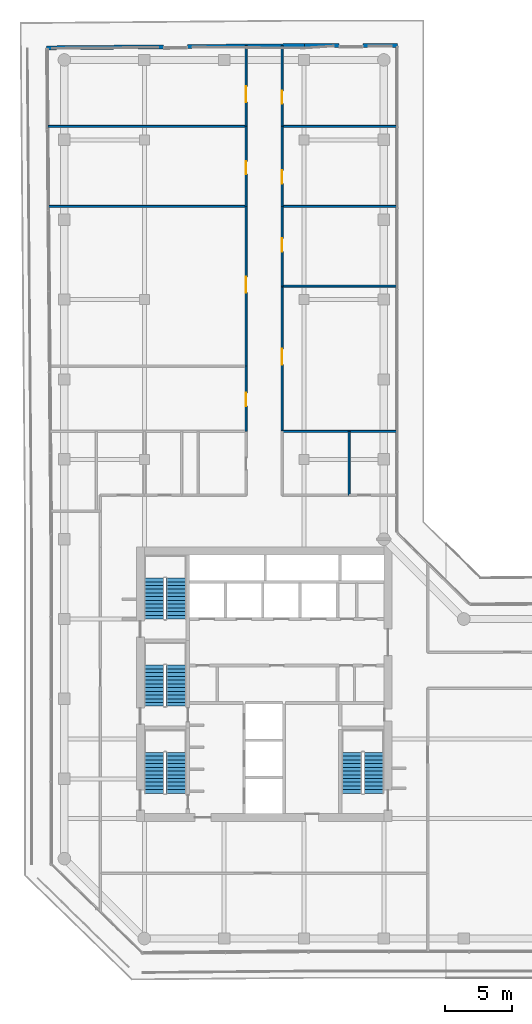
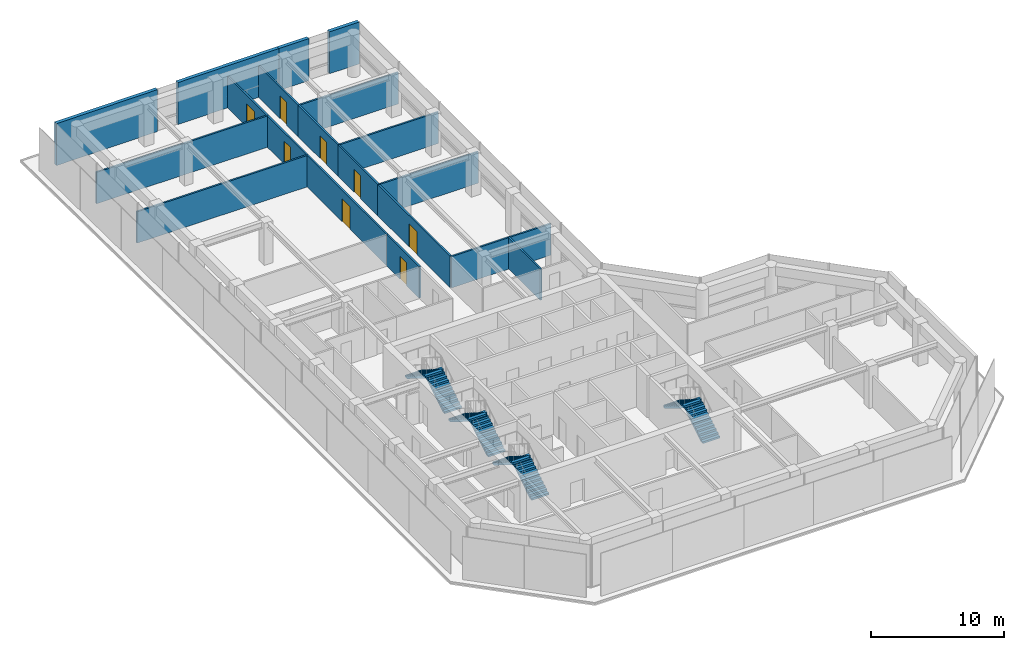
# One storey, part 17 of 19: 19 walls, 8 doors, 8 stair flights, 8 openings, 4 elements without a shape of their own.
"""IFC4 building model written with IfcOpenShell, lengths in metres."""

from ifc_helpers import new_model, si_unit, direction, frame, frame_2d, origin, place, context, subcontext, project, spatial, polyline, rectangle, outline, extrude, material, layer, layer_set, type_object, element, fill, aggregate, save


model = new_model("IFC4")

# Units and contexts
model_context = context("Model", 3, precision=1e-05, world=origin(), true_north=direction((0.0, 1.0)))
body_context = subcontext(model_context, "Body", "Model", "MODEL_VIEW")
ifc_project = project(units=[si_unit("LENGTHUNIT", "METRE"), si_unit("AREAUNIT", "SQUARE_METRE"), si_unit("VOLUMEUNIT", "CUBIC_METRE"), si_unit("PLANEANGLEUNIT", "RADIAN"), si_unit("MASSUNIT", "GRAM", prefix="KILO")], contexts=[model_context])

# Site, building, storey
site_placement = place(None, origin())
site = spatial("IfcSite", under=ifc_project, at=site_placement, CompositionType="ELEMENT")
building_placement = place(site_placement, origin())
building = spatial("IfcBuilding", under=site, at=building_placement, Name="Welwitschia Terrace Campus", CompositionType="ELEMENT")
storey_placement = place(building_placement, frame((0.0, 0.0, 171.800048828125)))
storey = spatial("IfcBuildingStorey", under=building, at=storey_placement, Name="L38", CompositionType="ELEMENT", Elevation=171.800048828125)

# Walls
ifc_material_1 = material(Name="Gypsum board on steel studs", Category="steel")
ifc_layer_1 = layer(ifc_material_1, 0.14990234375)
ifc_layer_set_1 = layer_set([ifc_layer_1], Name="Gypsum board on steel studs")
wall_type_1 = type_object("IfcWallType", Name="Corridor partition 150 EI 30", PredefinedType="PARTITIONING", material=ifc_layer_set_1)
wall_1_placement = place(storey_placement, frame((-1.25, 57.0, 0.0), z_axis=(0.0, 0.0, 1.0), x_axis=(1.0, 0.0, 0.0)))
element("IfcWall", 1, at=wall_1_placement, inside=storey, type_object=wall_type_1, Name="Partition", PredefinedType="PARTITIONING", context=body_context, shape_type="SweptSolid", body=[
    extrude(rectangle(XDim=14.89990234375, YDim=0.14990234375, at=frame_2d((7.449951171875, 0.0))), origin(), (0.0, 0.0, 1.0), 2.8798828125),
])
wall_2_placement = place(storey_placement, frame((-1.18994140625, 51.0, 0.0), z_axis=(0.0, 0.0, 1.0), x_axis=(1.0, 0.0, 0.0)))
element("IfcWall", 2, at=wall_2_placement, inside=storey, type_object=wall_type_1, Name="Partition", PredefinedType="PARTITIONING", context=body_context, shape_type="SweptSolid", body=[
    extrude(rectangle(XDim=14.83984375, YDim=0.14990234375, at=frame_2d((7.419921875, 0.0))), origin(), (0.0, 0.0, 1.0), 2.8798828125),
])

# Wall, opening, door
wall_3_placement = place(storey_placement, frame((13.64990234375, 34.10009765625, 0.0), z_axis=(0.0, 0.0, 1.0), x_axis=(0.0, 1.0, 0.0)))
wall_3 = element("IfcWall", 3, at=wall_3_placement, inside=storey, type_object=wall_type_1, Name="Partition", PredefinedType="PARTITIONING", context=body_context, shape_type="SweptSolid", body=[
    extrude(rectangle(XDim=4.89990234375, YDim=0.14990234375, at=frame_2d((2.449951171875, 0.0))), origin(), (0.0, 0.0, 1.0), 2.8798828125),
])
opening_1_placement = place(wall_3_placement, frame((1.89990234375, 0.0, 0.0)))
opening_1 = element("IfcOpeningElement", 4, at=opening_1_placement, cuts=wall_3, Name="Opening DI10", PredefinedType="OPENING", context=body_context, shape_type="SweptSolid", body=[
    extrude(rectangle(XDim=1.0, YDim=2.10009765625, at=frame_2d((0.5, 1.050048828125))), frame((0.0, 0.0849609375, 0.0), z_axis=(0.0, -1.0, 0.0), x_axis=(1.0, 0.0, 0.0)), (0.0, 0.0, 1.0), 0.169921875),
])
ifc_material_2 = material(Name="Timber veneered door", Category="wood")
door_type_1 = type_object("IfcDoorType", Name="Interior door DI10", OperationType="NOTDEFINED", PredefinedType="DOOR", material=ifc_material_2)
door_1_placement = place(opening_1_placement, origin())
door_1 = element("IfcDoor", 5, at=door_1_placement, inside=storey, type_object=door_type_1, Name="Door L38 762", OperationType="SINGLE_SWING_LEFT", OverallHeight=2.10009765625, OverallWidth=1.0, PredefinedType="DOOR", context=body_context, shape_type="SweptSolid", body=[
    extrude(rectangle(XDim=1.0, YDim=2.10009765625, at=frame_2d((0.5, 1.050048828125))), frame((0.0, 0.02490234375, 0.0), z_axis=(0.0, -1.0, 0.0), x_axis=(1.0, 0.0, 0.0)), (0.0, 0.0, 1.0), 0.050048828125),
])
fill(opening_1, door_1)

wall_4_placement = place(storey_placement, frame((13.64990234375, 51.0, 0.0), z_axis=(0.0, 0.0, 1.0), x_axis=(0.0, -1.0, 0.0)))
wall_4 = element("IfcWall", 6, at=wall_4_placement, inside=storey, type_object=wall_type_1, Name="Partition", PredefinedType="PARTITIONING", context=body_context, shape_type="SweptSolid", body=[
    extrude(rectangle(XDim=12.0, YDim=0.14990234375, at=frame_2d((6.0, 0.0))), origin(), (0.0, 0.0, 1.0), 2.8798828125),
])
opening_2_placement = place(wall_4_placement, frame((5.300048828125, 0.0, 0.0)))
opening_2 = element("IfcOpeningElement", 7, at=opening_2_placement, cuts=wall_4, Name="Opening DI12", PredefinedType="OPENING", context=body_context, shape_type="SweptSolid", body=[
    extrude(rectangle(XDim=1.199951171875, YDim=2.10009765625, at=frame_2d((0.60009765625, 1.050048828125))), frame((0.0, 0.0849609375, 0.0), z_axis=(0.0, -1.0, 0.0), x_axis=(1.0, 0.0, 0.0)), (0.0, 0.0, 1.0), 0.169921875),
])
ifc_material_3 = material(Name="Timber veneered door", Category="wood")
door_type_2 = type_object("IfcDoorType", Name="Interior door DI12", OperationType="NOTDEFINED", PredefinedType="DOOR", material=ifc_material_3)
door_2_placement = place(opening_2_placement, origin())
door_2 = element("IfcDoor", 8, at=door_2_placement, inside=storey, type_object=door_type_2, Name="Door L38 763", OperationType="SINGLE_SWING_RIGHT", OverallHeight=2.10009765625, OverallWidth=1.199951171875, PredefinedType="DOOR", context=body_context, shape_type="SweptSolid", body=[
    extrude(rectangle(XDim=1.199951171875, YDim=2.10009765625, at=frame_2d((0.60009765625, 1.050048828125))), frame((0.0, 0.02490234375, 0.0), z_axis=(0.0, -1.0, 0.0), x_axis=(1.0, 0.0, 0.0)), (0.0, 0.0, 1.0), 0.050048828125),
])
fill(opening_2, door_2)

wall_5_placement = place(storey_placement, frame((13.64990234375, 51.0, 0.0), z_axis=(0.0, 0.0, 1.0), x_axis=(0.0, 1.0, 0.0)))
wall_5 = element("IfcWall", 9, at=wall_5_placement, inside=storey, type_object=wall_type_1, Name="Partition", PredefinedType="PARTITIONING", context=body_context, shape_type="SweptSolid", body=[
    extrude(rectangle(XDim=6.0, YDim=0.14990234375, at=frame_2d((3.0, 0.0))), origin(), (0.0, 0.0, 1.0), 2.8798828125),
])
opening_3_placement = place(wall_5_placement, frame((2.39990234375, 0.0, 0.0)))
opening_3 = element("IfcOpeningElement", 10, at=opening_3_placement, cuts=wall_5, Name="Opening DI10", PredefinedType="OPENING", context=body_context, shape_type="SweptSolid", body=[
    extrude(rectangle(XDim=1.0, YDim=2.10009765625, at=frame_2d((0.5, 1.050048828125))), frame((0.0, 0.0849609375, 0.0), z_axis=(0.0, -1.0, 0.0), x_axis=(1.0, 0.0, 0.0)), (0.0, 0.0, 1.0), 0.169921875),
])
door_3_placement = place(opening_3_placement, origin())
door_3 = element("IfcDoor", 11, at=door_3_placement, inside=storey, type_object=door_type_1, Name="Door L38 764", OperationType="SINGLE_SWING_LEFT", OverallHeight=2.10009765625, OverallWidth=1.0, PredefinedType="DOOR", context=body_context, shape_type="SweptSolid", body=[
    extrude(rectangle(XDim=1.0, YDim=2.10009765625, at=frame_2d((0.5, 1.050048828125))), frame((0.0, 0.02490234375, 0.0), z_axis=(0.0, -1.0, 0.0), x_axis=(1.0, 0.0, 0.0)), (0.0, 0.0, 1.0), 0.050048828125),
])
fill(opening_3, door_3)

wall_6_placement = place(storey_placement, frame((13.64990234375, 63.051513671875, 0.0), z_axis=(0.0, 0.0, 1.0), x_axis=(0.0, -1.0, 0.0)))
wall_6 = element("IfcWall", 12, at=wall_6_placement, inside=storey, type_object=wall_type_1, Name="Partition", PredefinedType="PARTITIONING", context=body_context, shape_type="SweptSolid", body=[
    extrude(rectangle(XDim=6.051513671875, YDim=0.14990234375, at=frame_2d((3.02587890625, 0.0))), origin(), (0.0, 0.0, 1.0), 2.8798828125),
])
opening_4_placement = place(wall_6_placement, frame((3.01171875, 0.0, 0.0)))
opening_4 = element("IfcOpeningElement", 13, at=opening_4_placement, cuts=wall_6, Name="Opening DI12", PredefinedType="OPENING", context=body_context, shape_type="SweptSolid", body=[
    extrude(rectangle(XDim=1.199951171875, YDim=2.10009765625, at=frame_2d((0.60009765625, 1.050048828125))), frame((0.0, 0.0849609375, 0.0), z_axis=(0.0, -1.0, 0.0), x_axis=(1.0, 0.0, 0.0)), (0.0, 0.0, 1.0), 0.169921875),
])
door_4_placement = place(opening_4_placement, origin())
door_4 = element("IfcDoor", 14, at=door_4_placement, inside=storey, type_object=door_type_2, Name="Door L38 765", OperationType="SINGLE_SWING_RIGHT", OverallHeight=2.10009765625, OverallWidth=1.199951171875, PredefinedType="DOOR", context=body_context, shape_type="SweptSolid", body=[
    extrude(rectangle(XDim=1.199951171875, YDim=2.10009765625, at=frame_2d((0.60009765625, 1.050048828125))), frame((0.0, 0.02490234375, 0.0), z_axis=(0.0, -1.0, 0.0), x_axis=(1.0, 0.0, 0.0)), (0.0, 0.0, 1.0), 0.050048828125),
])
fill(opening_4, door_4)

wall_7_placement = place(storey_placement, frame((16.35009765625, 34.10009765625, 0.0), z_axis=(0.0, 0.0, 1.0), x_axis=(0.0, 1.0, 0.0)))
wall_7 = element("IfcWall", 15, at=wall_7_placement, inside=storey, type_object=wall_type_1, Name="Partition", PredefinedType="PARTITIONING", context=body_context, shape_type="SweptSolid", body=[
    extrude(rectangle(XDim=10.89990234375, YDim=0.14990234375, at=frame_2d((5.449951171875, 0.0))), origin(), (0.0, 0.0, 1.0), 2.8798828125),
])
opening_5_placement = place(wall_7_placement, frame((5.0, 0.0, 0.0)))
opening_5 = element("IfcOpeningElement", 16, at=opening_5_placement, cuts=wall_7, Name="Opening DI12", PredefinedType="OPENING", context=body_context, shape_type="SweptSolid", body=[
    extrude(rectangle(XDim=1.199951171875, YDim=2.10009765625, at=frame_2d((0.60009765625, 1.050048828125))), frame((0.0, 0.0849609375, 0.0), z_axis=(0.0, -1.0, 0.0), x_axis=(1.0, 0.0, 0.0)), (0.0, 0.0, 1.0), 0.169921875),
])
door_5_placement = place(opening_5_placement, origin())
door_5 = element("IfcDoor", 17, at=door_5_placement, inside=storey, type_object=door_type_2, Name="Door L38 766", OperationType="SINGLE_SWING_LEFT", OverallHeight=2.10009765625, OverallWidth=1.199951171875, PredefinedType="DOOR", context=body_context, shape_type="SweptSolid", body=[
    extrude(rectangle(XDim=1.199951171875, YDim=2.10009765625, at=frame_2d((0.60009765625, 1.050048828125))), frame((0.0, 0.02490234375, 0.0), z_axis=(0.0, -1.0, 0.0), x_axis=(1.0, 0.0, 0.0)), (0.0, 0.0, 1.0), 0.050048828125),
])
fill(opening_5, door_5)

# Walls
for number, where, z_axis, x_axis, name in (
    (18, (16.35009765625, 34.10009765625, 0.0), (0.0, 0.0, 1.0), (1.0, 0.0, 0.0), "Partition"),
    (19, (16.35009765625, 45.0, 0.0), (0.0, 0.0, 1.0), (1.0, 0.0, 0.0), "Partition"),
):
    element("IfcWall", number, at=place(storey_placement, frame(where, z_axis=z_axis, x_axis=x_axis)), inside=storey, type_object=wall_type_1, Name=name, PredefinedType="PARTITIONING", context=body_context, shape_type="SweptSolid", body=[
        extrude(rectangle(XDim=8.6298828125, YDim=0.14990234375, at=frame_2d((4.31494140625, 0.0))), origin(), (0.0, 0.0, 1.0), 2.8798828125),
    ])

# Wall, opening, door
wall_8_placement = place(storey_placement, frame((16.35009765625, 51.0, 0.0), z_axis=(0.0, 0.0, 1.0), x_axis=(0.0, -1.0, 0.0)))
wall_8 = element("IfcWall", 20, at=wall_8_placement, inside=storey, type_object=wall_type_1, Name="Partition", PredefinedType="PARTITIONING", context=body_context, shape_type="SweptSolid", body=[
    extrude(rectangle(XDim=6.0, YDim=0.14990234375, at=frame_2d((3.0, 0.0))), origin(), (0.0, 0.0, 1.0), 2.8798828125),
])
opening_6_placement = place(wall_8_placement, frame((2.39990234375, 0.0, 0.0)))
opening_6 = element("IfcOpeningElement", 21, at=opening_6_placement, cuts=wall_8, Name="Opening DI10", PredefinedType="OPENING", context=body_context, shape_type="SweptSolid", body=[
    extrude(rectangle(XDim=1.0, YDim=2.10009765625, at=frame_2d((0.5, 1.050048828125))), frame((0.0, 0.0849609375, 0.0), z_axis=(0.0, -1.0, 0.0), x_axis=(1.0, 0.0, 0.0)), (0.0, 0.0, 1.0), 0.169921875),
])
door_6_placement = place(opening_6_placement, origin())
door_6 = element("IfcDoor", 22, at=door_6_placement, inside=storey, type_object=door_type_1, Name="Door L38 767", OperationType="SINGLE_SWING_RIGHT", OverallHeight=2.10009765625, OverallWidth=1.0, PredefinedType="DOOR", context=body_context, shape_type="SweptSolid", body=[
    extrude(rectangle(XDim=1.0, YDim=2.10009765625, at=frame_2d((0.5, 1.050048828125))), frame((0.0, 0.02490234375, 0.0), z_axis=(0.0, -1.0, 0.0), x_axis=(1.0, 0.0, 0.0)), (0.0, 0.0, 1.0), 0.050048828125),
])
fill(opening_6, door_6)

# Wall
wall_9_placement = place(storey_placement, frame((16.35009765625, 51.0, 0.0), z_axis=(0.0, 0.0, 1.0), x_axis=(1.0, 0.0, 0.0)))
element("IfcWall", 23, at=wall_9_placement, inside=storey, type_object=wall_type_1, Name="Partition", PredefinedType="PARTITIONING", context=body_context, shape_type="SweptSolid", body=[
    extrude(rectangle(XDim=8.6298828125, YDim=0.14990234375, at=frame_2d((4.31494140625, 0.0))), origin(), (0.0, 0.0, 1.0), 2.8798828125),
])

# Wall, opening, door
wall_10_placement = place(storey_placement, frame((16.35009765625, 57.0, 0.0), z_axis=(0.0, 0.0, 1.0), x_axis=(0.0, -1.0, 0.0)))
wall_10 = element("IfcWall", 24, at=wall_10_placement, inside=storey, type_object=wall_type_1, Name="Partition", PredefinedType="PARTITIONING", context=body_context, shape_type="SweptSolid", body=[
    extrude(rectangle(XDim=6.0, YDim=0.14990234375, at=frame_2d((3.0, 0.0))), origin(), (0.0, 0.0, 1.0), 2.8798828125),
])
opening_7_placement = place(wall_10_placement, frame((3.300048828125, 0.0, 0.0)))
opening_7 = element("IfcOpeningElement", 25, at=opening_7_placement, cuts=wall_10, Name="Opening DI10", PredefinedType="OPENING", context=body_context, shape_type="SweptSolid", body=[
    extrude(rectangle(XDim=1.0, YDim=2.10009765625, at=frame_2d((0.5, 1.050048828125))), frame((0.0, 0.0849609375, 0.0), z_axis=(0.0, -1.0, 0.0), x_axis=(1.0, 0.0, 0.0)), (0.0, 0.0, 1.0), 0.169921875),
])
door_7_placement = place(opening_7_placement, origin())
door_7 = element("IfcDoor", 26, at=door_7_placement, inside=storey, type_object=door_type_1, Name="Door L38 768", OperationType="SINGLE_SWING_LEFT", OverallHeight=2.10009765625, OverallWidth=1.0, PredefinedType="DOOR", context=body_context, shape_type="SweptSolid", body=[
    extrude(rectangle(XDim=1.0, YDim=2.10009765625, at=frame_2d((0.5, 1.050048828125))), frame((0.0, 0.02490234375, 0.0), z_axis=(0.0, -1.0, 0.0), x_axis=(1.0, 0.0, 0.0)), (0.0, 0.0, 1.0), 0.050048828125),
])
fill(opening_7, door_7)

# Wall
wall_11_placement = place(storey_placement, frame((16.35009765625, 57.0, 0.0), z_axis=(0.0, 0.0, 1.0), x_axis=(1.0, 0.0, 0.0)))
element("IfcWall", 27, at=wall_11_placement, inside=storey, type_object=wall_type_1, Name="Partition", PredefinedType="PARTITIONING", context=body_context, shape_type="SweptSolid", body=[
    extrude(rectangle(XDim=8.614990234375, YDim=0.14990234375, at=frame_2d((4.3076171875, 0.0))), origin(), (0.0, 0.0, 1.0), 2.8798828125),
])

# Wall, opening, door
wall_12_placement = place(storey_placement, frame((16.35009765625, 63.0751953125, 0.0), z_axis=(0.0, 0.0, 1.0), x_axis=(0.0, -1.0, 0.0)))
wall_12 = element("IfcWall", 28, at=wall_12_placement, inside=storey, type_object=wall_type_1, Name="Partition", PredefinedType="PARTITIONING", context=body_context, shape_type="SweptSolid", body=[
    extrude(rectangle(XDim=6.0751953125, YDim=0.14990234375, at=frame_2d((3.03759765625, 0.0))), origin(), (0.0, 0.0, 1.0), 2.8798828125),
])
opening_8_placement = place(wall_12_placement, frame((3.375, 0.0, 0.0)))
opening_8 = element("IfcOpeningElement", 29, at=opening_8_placement, cuts=wall_12, Name="Opening DI10", PredefinedType="OPENING", context=body_context, shape_type="SweptSolid", body=[
    extrude(rectangle(XDim=1.0, YDim=2.10009765625, at=frame_2d((0.5, 1.050048828125))), frame((0.0, 0.0849609375, 0.0), z_axis=(0.0, -1.0, 0.0), x_axis=(1.0, 0.0, 0.0)), (0.0, 0.0, 1.0), 0.169921875),
])
door_8_placement = place(opening_8_placement, origin())
door_8 = element("IfcDoor", 30, at=door_8_placement, inside=storey, type_object=door_type_1, Name="Door L38 769", OperationType="SINGLE_SWING_RIGHT", OverallHeight=2.10009765625, OverallWidth=1.0, PredefinedType="DOOR", context=body_context, shape_type="SweptSolid", body=[
    extrude(rectangle(XDim=1.0, YDim=2.10009765625, at=frame_2d((0.5, 1.050048828125))), frame((0.0, 0.02490234375, 0.0), z_axis=(0.0, -1.0, 0.0), x_axis=(1.0, 0.0, 0.0)), (0.0, 0.0, 1.0), 0.050048828125),
])
fill(opening_8, door_8)

# Walls
wall_13_placement = place(storey_placement, frame((21.3798828125, 29.300048828125, 0.0), z_axis=(0.0, 0.0, 1.0), x_axis=(0.0, 1.0, 0.0)))
element("IfcWall", 31, at=wall_13_placement, inside=storey, type_object=wall_type_1, Name="Partition", PredefinedType="PARTITIONING", context=body_context, shape_type="SweptSolid", body=[
    extrude(rectangle(XDim=4.800048828125, YDim=0.14990234375, at=frame_2d((2.39990234375, 0.0))), origin(), (0.0, 0.0, 1.0), 2.8798828125),
])
ifc_material_4 = material(Name="Concrete C40/50", Category="concrete")
ifc_layer_2 = layer(ifc_material_4, 0.300048828125)
ifc_layer_set_2 = layer_set([ifc_layer_2], Name="Concrete C40/50")
wall_type_2 = type_object("IfcWallType", Name="Mass wall 300", PredefinedType="SOLIDWALL", material=ifc_layer_set_2)
wall_14_placement = place(storey_placement, frame((25.030029296875, 63.078125, 0.0), z_axis=(0.0, 0.0, 1.0), x_axis=(-1.0, 0.0, 0.0)))
element("IfcWall", 32, at=wall_14_placement, inside=storey, type_object=wall_type_2, Name="Mass wall L38.11.0", PredefinedType="SOLIDWALL", context=body_context, shape_type="SweptSolid", body=[
    extrude(rectangle(XDim=2.587890625, YDim=0.300048828125, at=frame_2d((1.2939453125, 0.0))), origin(), (0.0, 0.0, 1.0), 3.849853515625),
])
wall_15_placement = place(storey_placement, frame((20.64208984375, 63.080078125, 0.0), z_axis=(0.0, 0.0, 1.0), x_axis=(-1.0, 0.0, 0.0)))
element("IfcWall", 33, at=wall_15_placement, inside=storey, type_object=wall_type_2, Name="Mass wall L38.11.1", PredefinedType="SOLIDWALL", context=body_context, shape_type="SweptSolid", body=[
    extrude(rectangle(XDim=2.587646484375, YDim=0.300048828125, at=frame_2d((1.2939453125, 0.0))), origin(), (0.0, 0.0, 1.0), 3.849853515625),
])
for number, where, z_axis, x_axis, name in (
    (34, (18.053955078125, 63.080078125, 0.0), (0.0, 0.0, 1.0), (-0.999961829169, -0.00873728818, 0.0), "Mass wall L38.12.0"),
    (35, (7.45263671875, 62.985595703125, 0.0), (0.0, 0.0, 1.0), (-0.999961829169, -0.00873728818, 0.0), "Mass wall L38.12.1"),
):
    element("IfcWall", number, at=place(storey_placement, frame(where, z_axis=z_axis, x_axis=x_axis)), inside=storey, type_object=wall_type_2, Name=name, PredefinedType="SOLIDWALL", context=body_context, shape_type="SweptSolid", body=[
        extrude(rectangle(XDim=8.8017578125, YDim=0.300048828125, at=frame_2d((4.40087890625, 0.0))), origin(), (0.0, 0.0, 1.0), 3.849853515625),
    ])

# Stair, stair flights
ifc_material_5 = material(Name="Concrete C40/50", Category="concrete")
stair_type = type_object("IfcStairType", Name="Stair 24R 175 W1500", PredefinedType="HALF_TURN_STAIR", material=ifc_material_5)
stair_1_placement = place(storey_placement, origin())
stair_1 = element("IfcStair", 36, at=stair_1_placement, inside=storey, type_object=stair_type, Name="L38 Exit stair S1", PredefinedType="HALF_TURN_STAIR")
ifc_material_6 = material(Name="Concrete C40/50", Category="concrete")
stair_flight_type = type_object("IfcStairFlightType", Name="Stair flight 24R 175 W1500", PredefinedType="STRAIGHT", material=ifc_material_6)
stair_flight_1_placement = place(storey_placement, frame((8.39990234375, 6.89990234375, 0.0), z_axis=(0.0, 0.0, 1.0), x_axis=(0.0, 1.0, 0.0)))
stair_flight_1 = element("IfcStairFlight", 37, at=stair_flight_1_placement, type_object=stair_flight_type, Name="S1 flight 1", NumberOfRisers=12, NumberOfTreads=11, PredefinedType="STRAIGHT", RiserHeight=0.175, TreadLength=0.28, context=body_context, shape_type="SweptSolid", body=[
    extrude(outline(polyline([(0.0, 0.0), (0.0, 0.175048828125), (0.280029296875, 0.175048828125), (0.280029296875, 0.35009765625), (0.56005859375, 0.35009765625), (0.56005859375, 0.52490234375), (0.840087890625, 0.52490234375), (0.840087890625, 0.699951171875), (1.1201171875, 0.699951171875), (1.1201171875, 0.875), (1.39990234375, 0.875), (1.39990234375, 1.050048828125), (1.679931640625, 1.050048828125), (1.679931640625, 1.22509765625), (1.9599609375, 1.22509765625), (1.9599609375, 1.39990234375), (2.239990234375, 1.39990234375), (2.239990234375, 1.574951171875), (2.52001953125, 1.574951171875), (2.52001953125, 1.75), (2.800048828125, 1.75), (2.800048828125, 1.925048828125), (3.080078125, 1.925048828125), (3.080078125, 2.10009765625), (3.080078125, 1.748291015625), (0.28271484375, 0.0), (0.0, 0.0)])), frame((0.0, 0.75, 0.0), z_axis=(0.0, -1.0, 0.0), x_axis=(1.0, 0.0, 0.0)), (0.0, 0.0, 1.0), 1.5),
])
stair_flight_2_placement = place(storey_placement, frame((6.75, 9.97998046875, 2.099853515625), z_axis=(0.0, 0.0, 1.0), x_axis=(0.0, -1.0, 0.0)))
stair_flight_2 = element("IfcStairFlight", 38, at=stair_flight_2_placement, type_object=stair_flight_type, Name="S1 flight 2", NumberOfRisers=12, NumberOfTreads=11, PredefinedType="STRAIGHT", RiserHeight=0.175, TreadLength=0.28, context=body_context, shape_type="SweptSolid", body=[
    extrude(outline(polyline([(0.0, 0.0), (0.0, 0.175048828125), (0.280029296875, 0.175048828125), (0.280029296875, 0.35009765625), (0.56005859375, 0.35009765625), (0.56005859375, 0.52490234375), (0.840087890625, 0.52490234375), (0.840087890625, 0.699951171875), (1.1201171875, 0.699951171875), (1.1201171875, 0.875), (1.39990234375, 0.875), (1.39990234375, 1.050048828125), (1.679931640625, 1.050048828125), (1.679931640625, 1.22509765625), (1.9599609375, 1.22509765625), (1.9599609375, 1.39990234375), (2.239990234375, 1.39990234375), (2.239990234375, 1.574951171875), (2.52001953125, 1.574951171875), (2.52001953125, 1.75), (2.800048828125, 1.75), (2.800048828125, 1.925048828125), (3.080078125, 1.925048828125), (3.080078125, 2.10009765625), (3.080078125, 1.748291015625), (0.28271484375, 0.0), (0.0, 0.0)])), frame((0.0, 0.75, 0.0), z_axis=(0.0, -1.0, 0.0), x_axis=(1.0, 0.0, 0.0)), (0.0, 0.0, 1.0), 1.5),
])
aggregate(stair_1, [stair_flight_1, stair_flight_2])

stair_2_placement = place(storey_placement, origin())
stair_2 = element("IfcStair", 39, at=stair_2_placement, inside=storey, type_object=stair_type, Name="L38 Exit stair S3", PredefinedType="HALF_TURN_STAIR")
stair_flight_3_placement = place(storey_placement, frame((8.39990234375, 13.449951171875, 0.0), z_axis=(0.0, 0.0, 1.0), x_axis=(0.0, 1.0, 0.0)))
stair_flight_3 = element("IfcStairFlight", 40, at=stair_flight_3_placement, type_object=stair_flight_type, Name="S3 flight 1", NumberOfRisers=12, NumberOfTreads=11, PredefinedType="STRAIGHT", RiserHeight=0.175, TreadLength=0.28, context=body_context, shape_type="SweptSolid", body=[
    extrude(outline(polyline([(0.0, 0.0), (0.0, 0.175048828125), (0.280029296875, 0.175048828125), (0.280029296875, 0.35009765625), (0.56005859375, 0.35009765625), (0.56005859375, 0.52490234375), (0.840087890625, 0.52490234375), (0.840087890625, 0.699951171875), (1.1201171875, 0.699951171875), (1.1201171875, 0.875), (1.39990234375, 0.875), (1.39990234375, 1.050048828125), (1.679931640625, 1.050048828125), (1.679931640625, 1.22509765625), (1.9599609375, 1.22509765625), (1.9599609375, 1.39990234375), (2.239990234375, 1.39990234375), (2.239990234375, 1.574951171875), (2.52001953125, 1.574951171875), (2.52001953125, 1.75), (2.800048828125, 1.75), (2.800048828125, 1.925048828125), (3.080078125, 1.925048828125), (3.080078125, 2.10009765625), (3.080078125, 1.748291015625), (0.28271484375, 0.0), (0.0, 0.0)])), frame((0.0, 0.75, 0.0), z_axis=(0.0, -1.0, 0.0), x_axis=(1.0, 0.0, 0.0)), (0.0, 0.0, 1.0), 1.5),
])
stair_flight_4_placement = place(storey_placement, frame((6.75, 16.530029296875, 2.099853515625), z_axis=(0.0, 0.0, 1.0), x_axis=(0.0, -1.0, 0.0)))
stair_flight_4 = element("IfcStairFlight", 41, at=stair_flight_4_placement, type_object=stair_flight_type, Name="S3 flight 2", NumberOfRisers=12, NumberOfTreads=11, PredefinedType="STRAIGHT", RiserHeight=0.175, TreadLength=0.28, context=body_context, shape_type="SweptSolid", body=[
    extrude(outline(polyline([(0.0, 0.0), (0.0, 0.175048828125), (0.280029296875, 0.175048828125), (0.280029296875, 0.35009765625), (0.56005859375, 0.35009765625), (0.56005859375, 0.52490234375), (0.840087890625, 0.52490234375), (0.840087890625, 0.699951171875), (1.1201171875, 0.699951171875), (1.1201171875, 0.875), (1.39990234375, 0.875), (1.39990234375, 1.050048828125), (1.679931640625, 1.050048828125), (1.679931640625, 1.22509765625), (1.9599609375, 1.22509765625), (1.9599609375, 1.39990234375), (2.239990234375, 1.39990234375), (2.239990234375, 1.574951171875), (2.52001953125, 1.574951171875), (2.52001953125, 1.75), (2.800048828125, 1.75), (2.800048828125, 1.925048828125), (3.080078125, 1.925048828125), (3.080078125, 2.10009765625), (3.080078125, 1.748291015625), (0.28271484375, 0.0), (0.0, 0.0)])), frame((0.0, 0.75, 0.0), z_axis=(0.0, -1.0, 0.0), x_axis=(1.0, 0.0, 0.0)), (0.0, 0.0, 1.0), 1.5),
])
aggregate(stair_2, [stair_flight_3, stair_flight_4])

stair_3_placement = place(storey_placement, origin())
stair_3 = element("IfcStair", 42, at=stair_3_placement, inside=storey, type_object=stair_type, Name="L38 Exit stair S4", PredefinedType="HALF_TURN_STAIR")
stair_flight_5_placement = place(storey_placement, frame((8.39990234375, 20.0, 0.0), z_axis=(0.0, 0.0, 1.0), x_axis=(0.0, 1.0, 0.0)))
stair_flight_5 = element("IfcStairFlight", 43, at=stair_flight_5_placement, type_object=stair_flight_type, Name="S4 flight 1", NumberOfRisers=12, NumberOfTreads=11, PredefinedType="STRAIGHT", RiserHeight=0.175, TreadLength=0.28, context=body_context, shape_type="SweptSolid", body=[
    extrude(outline(polyline([(0.0, 0.0), (0.0, 0.175048828125), (0.280029296875, 0.175048828125), (0.280029296875, 0.35009765625), (0.56005859375, 0.35009765625), (0.56005859375, 0.52490234375), (0.840087890625, 0.52490234375), (0.840087890625, 0.699951171875), (1.1201171875, 0.699951171875), (1.1201171875, 0.875), (1.39990234375, 0.875), (1.39990234375, 1.050048828125), (1.679931640625, 1.050048828125), (1.679931640625, 1.22509765625), (1.9599609375, 1.22509765625), (1.9599609375, 1.39990234375), (2.239990234375, 1.39990234375), (2.239990234375, 1.574951171875), (2.52001953125, 1.574951171875), (2.52001953125, 1.75), (2.800048828125, 1.75), (2.800048828125, 1.925048828125), (3.080078125, 1.925048828125), (3.080078125, 2.10009765625), (3.080078125, 1.748291015625), (0.28271484375, 0.0), (0.0, 0.0)])), frame((0.0, 0.75, 0.0), z_axis=(0.0, -1.0, 0.0), x_axis=(1.0, 0.0, 0.0)), (0.0, 0.0, 1.0), 1.5),
])
stair_flight_6_placement = place(storey_placement, frame((6.75, 23.080078125, 2.099853515625), z_axis=(0.0, 0.0, 1.0), x_axis=(0.0, -1.0, 0.0)))
stair_flight_6 = element("IfcStairFlight", 44, at=stair_flight_6_placement, type_object=stair_flight_type, Name="S4 flight 2", NumberOfRisers=12, NumberOfTreads=11, PredefinedType="STRAIGHT", RiserHeight=0.175, TreadLength=0.28, context=body_context, shape_type="SweptSolid", body=[
    extrude(outline(polyline([(0.0, 0.0), (0.0, 0.175048828125), (0.280029296875, 0.175048828125), (0.280029296875, 0.35009765625), (0.56005859375, 0.35009765625), (0.56005859375, 0.52490234375), (0.840087890625, 0.52490234375), (0.840087890625, 0.699951171875), (1.1201171875, 0.699951171875), (1.1201171875, 0.875), (1.39990234375, 0.875), (1.39990234375, 1.050048828125), (1.679931640625, 1.050048828125), (1.679931640625, 1.22509765625), (1.9599609375, 1.22509765625), (1.9599609375, 1.39990234375), (2.239990234375, 1.39990234375), (2.239990234375, 1.574951171875), (2.52001953125, 1.574951171875), (2.52001953125, 1.75), (2.800048828125, 1.75), (2.800048828125, 1.925048828125), (3.080078125, 1.925048828125), (3.080078125, 2.10009765625), (3.080078125, 1.748291015625), (0.28271484375, 0.0), (0.0, 0.0)])), frame((0.0, 0.75, 0.0), z_axis=(0.0, -1.0, 0.0), x_axis=(1.0, 0.0, 0.0)), (0.0, 0.0, 1.0), 1.5),
])
aggregate(stair_3, [stair_flight_5, stair_flight_6])

stair_4_placement = place(storey_placement, origin())
stair_4 = element("IfcStair", 45, at=stair_4_placement, inside=storey, type_object=stair_type, Name="L38 Exit stair S2", PredefinedType="HALF_TURN_STAIR")
stair_flight_7_placement = place(storey_placement, frame((23.25, 6.89990234375, 0.0), z_axis=(0.0, 0.0, 1.0), x_axis=(0.0, 1.0, 0.0)))
stair_flight_7 = element("IfcStairFlight", 46, at=stair_flight_7_placement, type_object=stair_flight_type, Name="S2 flight 1", NumberOfRisers=12, NumberOfTreads=11, PredefinedType="STRAIGHT", RiserHeight=0.175, TreadLength=0.28, context=body_context, shape_type="SweptSolid", body=[
    extrude(outline(polyline([(0.0, 0.0), (0.0, 0.175048828125), (0.280029296875, 0.175048828125), (0.280029296875, 0.35009765625), (0.56005859375, 0.35009765625), (0.56005859375, 0.52490234375), (0.840087890625, 0.52490234375), (0.840087890625, 0.699951171875), (1.1201171875, 0.699951171875), (1.1201171875, 0.875), (1.39990234375, 0.875), (1.39990234375, 1.050048828125), (1.679931640625, 1.050048828125), (1.679931640625, 1.22509765625), (1.9599609375, 1.22509765625), (1.9599609375, 1.39990234375), (2.239990234375, 1.39990234375), (2.239990234375, 1.574951171875), (2.52001953125, 1.574951171875), (2.52001953125, 1.75), (2.800048828125, 1.75), (2.800048828125, 1.925048828125), (3.080078125, 1.925048828125), (3.080078125, 2.10009765625), (3.080078125, 1.748291015625), (0.28271484375, 0.0), (0.0, 0.0)])), frame((0.0, 0.75, 0.0), z_axis=(0.0, -1.0, 0.0), x_axis=(1.0, 0.0, 0.0)), (0.0, 0.0, 1.0), 1.5),
])
stair_flight_8_placement = place(storey_placement, frame((21.60009765625, 9.97998046875, 2.099853515625), z_axis=(0.0, 0.0, 1.0), x_axis=(0.0, -1.0, 0.0)))
stair_flight_8 = element("IfcStairFlight", 47, at=stair_flight_8_placement, type_object=stair_flight_type, Name="S2 flight 2", NumberOfRisers=12, NumberOfTreads=11, PredefinedType="STRAIGHT", RiserHeight=0.175, TreadLength=0.28, context=body_context, shape_type="SweptSolid", body=[
    extrude(outline(polyline([(0.0, 0.0), (0.0, 0.175048828125), (0.280029296875, 0.175048828125), (0.280029296875, 0.35009765625), (0.56005859375, 0.35009765625), (0.56005859375, 0.52490234375), (0.840087890625, 0.52490234375), (0.840087890625, 0.699951171875), (1.1201171875, 0.699951171875), (1.1201171875, 0.875), (1.39990234375, 0.875), (1.39990234375, 1.050048828125), (1.679931640625, 1.050048828125), (1.679931640625, 1.22509765625), (1.9599609375, 1.22509765625), (1.9599609375, 1.39990234375), (2.239990234375, 1.39990234375), (2.239990234375, 1.574951171875), (2.52001953125, 1.574951171875), (2.52001953125, 1.75), (2.800048828125, 1.75), (2.800048828125, 1.925048828125), (3.080078125, 1.925048828125), (3.080078125, 2.10009765625), (3.080078125, 1.748291015625), (0.28271484375, 0.0), (0.0, 0.0)])), frame((0.0, 0.75, 0.0), z_axis=(0.0, -1.0, 0.0), x_axis=(1.0, 0.0, 0.0)), (0.0, 0.0, 1.0), 1.5),
])
aggregate(stair_4, [stair_flight_7, stair_flight_8])

save(model, "model.ifc")
